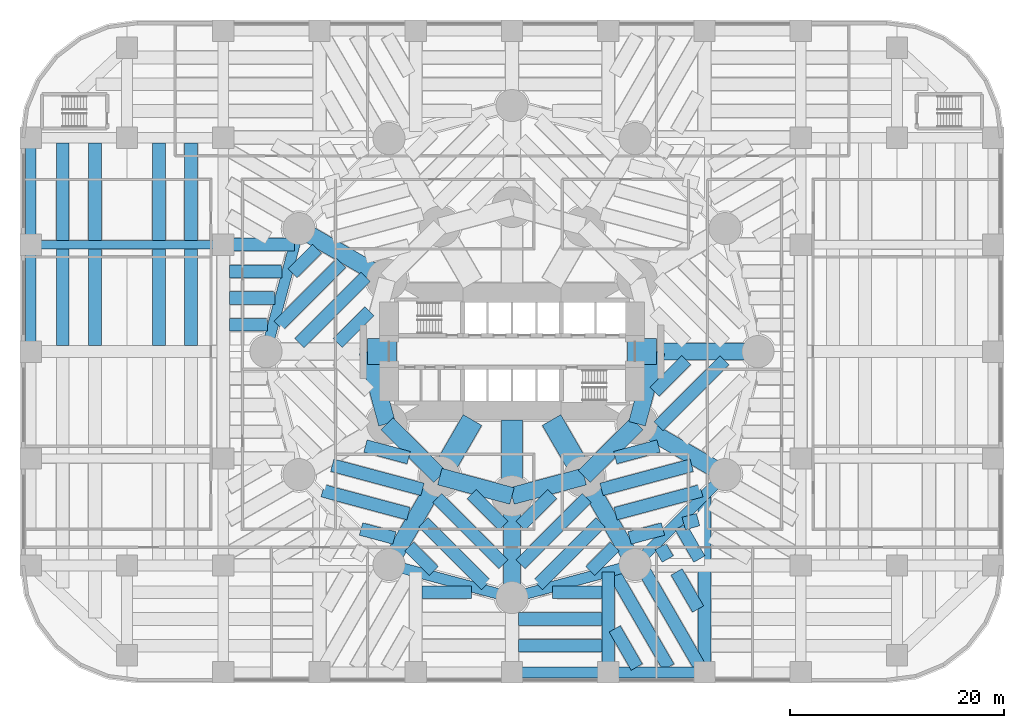
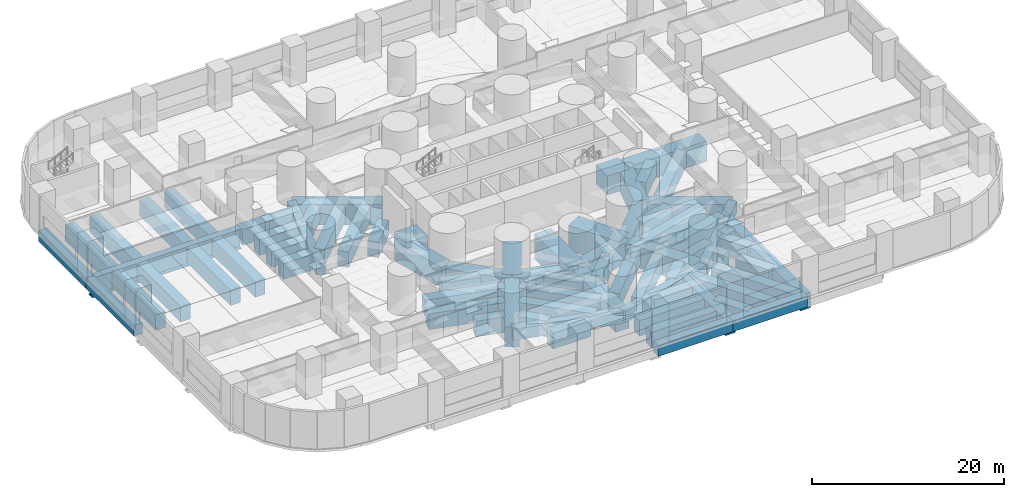
# One storey, part 2 of 17: 73 beams.
"""IFC4 building model written with IfcOpenShell, lengths in metres."""

from ifc_helpers import new_model, si_unit, direction, frame, origin, origin_2d, place, context, subcontext, project, spatial, rectangle, i_section, extrude, material, material_profile, profile_set, type_object, element, save


model = new_model("IFC4")

# Units and contexts
model_context = context("Model", 3, precision=1e-05, world=origin(), true_north=direction((0.0, 1.0)))
body_context = subcontext(model_context, "Body", "Model", "MODEL_VIEW")
ifc_project = project(units=[si_unit("LENGTHUNIT", "METRE"), si_unit("AREAUNIT", "SQUARE_METRE"), si_unit("VOLUMEUNIT", "CUBIC_METRE"), si_unit("PLANEANGLEUNIT", "RADIAN"), si_unit("MASSUNIT", "GRAM", prefix="KILO")], contexts=[model_context])

# Site, building, storey
site_placement = place(None, origin())
site = spatial("IfcSite", under=ifc_project, at=site_placement, CompositionType="ELEMENT")
building_placement = place(site_placement, origin())
building = spatial("IfcBuilding", under=site, at=building_placement, Name="Qaws Media Tower", CompositionType="ELEMENT")
storey_placement = place(building_placement, frame((0.0, 0.0, 15.0)))
storey = spatial("IfcBuildingStorey", under=building, at=storey_placement, Name="L02", CompositionType="ELEMENT", Elevation=15.0)

# Beams
ifc_material_1 = material(Name="Concrete C60/75", Category="concrete")
ifc_material_profile_1 = material_profile(ifc_material_1, rectangle(XDim=2.0, YDim=3.199951171875, at=origin_2d()), Name="RC 2000x3200")
ifc_profile_set_1 = profile_set([ifc_material_profile_1], Name="Concrete C60/75")
beam_type_1 = type_object("IfcBeamType", Name="Podium core beam RC 2000x3200", PredefinedType="BEAM", material=ifc_profile_set_1)
beam_1_placement = place(storey_placement, frame((56.304931640625, 43.60009765625, -1.89990234375), z_axis=(-0.49998532359, -0.866033877048, 0.0), x_axis=(0.866033877048, -0.49998532359, 0.0)))
element("IfcBeam", 1, at=beam_1_placement, inside=storey, type_object=beam_type_1, Name="PB14 beam CORE-I09", PredefinedType="BEAM", context=body_context, shape_type="SweptSolid", body=[
    extrude(rectangle(XDim=2.0, YDim=3.199951171875, at=origin_2d()), origin(), (0.0, 0.0, 1.0), 6.110107421875),
])
beam_2_placement = place(storey_placement, frame((60.0, 43.60009765625, -1.89990234375), z_axis=(0.0, -1.0, 0.0), x_axis=(1.0, 0.0, 0.0)))
element("IfcBeam", 2, at=beam_2_placement, inside=storey, type_object=beam_type_1, Name="PB14 beam CORE-I10", PredefinedType="BEAM", context=body_context, shape_type="SweptSolid", body=[
    extrude(rectangle(XDim=2.0, YDim=3.199951171875, at=origin_2d()), origin(), (0.0, 0.0, 1.0), 7.10009765625),
])
beam_3_placement = place(storey_placement, frame((63.695068359375, 43.60009765625, -1.89990234375), z_axis=(0.49998532359, -0.866033877048, 0.0), x_axis=(0.866033877048, 0.49998532359, 0.0)))
element("IfcBeam", 3, at=beam_3_placement, inside=storey, type_object=beam_type_1, Name="PB14 beam CORE-I11", PredefinedType="BEAM", context=body_context, shape_type="SweptSolid", body=[
    extrude(rectangle(XDim=2.0, YDim=3.199951171875, at=origin_2d()), origin(), (0.0, 0.0, 1.0), 6.110107421875),
])
ifc_material_2 = material(Name="Concrete C60/75", Category="concrete")
ifc_material_profile_2 = material_profile(ifc_material_2, rectangle(XDim=2.39990234375, YDim=2.39990234375, at=origin_2d()), Name="RC 2400x2400")
ifc_profile_set_2 = profile_set([ifc_material_profile_2], Name="Concrete C60/75")
beam_type_2 = type_object("IfcBeamType", Name="Podium core stub beam RC 2400x2400", PredefinedType="BEAM", material=ifc_profile_set_2)
for number, where, z_axis, x_axis, name in (
    (4, (70.800048828125, 50.0, -1.5), (1.0, 0.0, 0.0), (0.0, 1.0, 0.0), "PB15 beam CORE-I01"),
    (5, (49.199951171875, 50.0, -1.5), (-1.0, 0.0, 0.0), (0.0, -1.0, 0.0), "PB15 beam CORE-I07"),
):
    element("IfcBeam", number, at=place(storey_placement, frame(where, z_axis=z_axis, x_axis=x_axis)), inside=storey, type_object=beam_type_2, Name=name, PredefinedType="BEAM", context=body_context, shape_type="SweptSolid", body=[
        extrude(rectangle(XDim=2.39990234375, YDim=2.39990234375, at=origin_2d()), origin(), (0.0, 0.0, 1.0), 2.699951171875),
    ])
ifc_material_3 = material(Name="Concrete C60/75", Category="concrete")
ifc_material_profile_3 = material_profile(ifc_material_3, rectangle(XDim=1.0, YDim=1.39990234375, at=origin_2d()), Name="RC 1000x1400")
ifc_profile_set_3 = profile_set([ifc_material_profile_3], Name="Concrete C60/75")
beam_type_3 = type_object("IfcBeamType", Name="Podium edge beam RC 1000x1400", PredefinedType="BEAM", material=ifc_profile_set_3)
for number, where, z_axis, x_axis, name in (
    (6, (40.081298828125, 61.5, -1.0), (-0.258809885148, -0.965928280645, 0.0), (0.965928280645, -0.258809885148, 0.0), "PB3 beam M06-M07"),
    (7, (48.5, 30.081298828125, -1.0), (0.965928280645, -0.258809885148, 0.0), (0.258809885148, 0.965928280645, 0.0), "PB3 beam M09-M10"),
    (8, (60.0, 27.0, -1.0), (0.965928280645, 0.258809885148, 0.0), (-0.258809885148, 0.965928280645, 0.0), "PB3 beam M10-M11"),
    (9, (71.5, 30.081298828125, -1.0), (0.707106781187, 0.707106781187, 0.0), (-0.707106781187, 0.707106781187, 0.0), "PB3 beam M11-M12"),
):
    element("IfcBeam", number, at=place(storey_placement, frame(where, z_axis=z_axis, x_axis=x_axis)), inside=storey, type_object=beam_type_3, Name=name, PredefinedType="BEAM", context=body_context, shape_type="SweptSolid", body=[
        extrude(rectangle(XDim=1.0, YDim=1.39990234375, at=origin_2d()), origin(), (0.0, 0.0, 1.0), 11.90576171875),
    ])
ifc_material_4 = material(Name="Concrete C60/75", Category="concrete")
ifc_material_profile_4 = material_profile(ifc_material_4, rectangle(XDim=1.0, YDim=1.39990234375, at=origin_2d()), Name="RC 1000x1400")
ifc_profile_set_4 = profile_set([ifc_material_profile_4], Name="Concrete C60/75")
beam_type_4 = type_object("IfcBeamType", Name="Podium girder RC 1000x1400", PredefinedType="BEAM", material=ifc_profile_set_4)
for number, where, z_axis, x_axis, name in (
    (10, (60.0, 20.0, -1.0), (1.0, 0.0, 0.0), (0.0, 1.0, 0.0), "PB5 beam 6-7/A"),
    (11, (69.0, 20.0, -1.0), (1.0, 0.0, 0.0), (0.0, 1.0, 0.0), "PB5 beam 7-8/A"),
):
    element("IfcBeam", number, at=place(storey_placement, frame(where, z_axis=z_axis, x_axis=x_axis)), inside=storey, type_object=beam_type_4, Name=name, PredefinedType="BEAM", context=body_context, shape_type="SweptSolid", body=[
        extrude(rectangle(XDim=1.0, YDim=1.39990234375, at=origin_2d()), origin(), (0.0, 0.0, 1.0), 9.0),
    ])
for number, where, z_axis, x_axis, name in (
    (12, (15.0, 50.0, -1.0), (0.0, 1.0, 0.0), (-1.0, 0.0, 0.0), "PB5 beam 1/D-E"),
    (13, (15.0, 60.0, -1.0), (0.0, 1.0, 0.0), (-1.0, 0.0, 0.0), "PB5 beam 1/E-F"),
):
    element("IfcBeam", number, at=place(storey_placement, frame(where, z_axis=z_axis, x_axis=x_axis)), inside=storey, type_object=beam_type_4, Name=name, PredefinedType="BEAM", context=body_context, shape_type="SweptSolid", body=[
        extrude(rectangle(XDim=1.0, YDim=1.39990234375, at=origin_2d()), origin(), (0.0, 0.0, 1.0), 10.0),
    ])
ifc_material_5 = material(Name="Concrete C60/75", Category="concrete")
ifc_material_profile_5 = material_profile(ifc_material_5, rectangle(XDim=1.199951171875, YDim=2.0, at=origin_2d()), Name="RC 1200x2000")
ifc_profile_set_5 = profile_set([ifc_material_profile_5], Name="Concrete C60/75")
beam_type_5 = type_object("IfcBeamType", Name="Podium long trimmer beam RC 1200x2000", PredefinedType="BEAM", material=ifc_profile_set_5)
beam_4_placement = place(storey_placement, frame((78.0, 20.0, -1.300048828125), z_axis=(0.0, 1.0, 0.0), x_axis=(-1.0, 0.0, 0.0)))
element("IfcBeam", 14, at=beam_4_placement, inside=storey, type_object=beam_type_5, Name="PB11 beam 8/A to the tower ring", PredefinedType="BEAM", context=body_context, shape_type="SweptSolid", body=[
    extrude(rectangle(XDim=1.199951171875, YDim=2.0, at=origin_2d()), origin(), (0.0, 0.0, 1.0), 16.581298828125),
])
ifc_material_6 = material(Name="Concrete C60/75", Category="concrete")
ifc_material_profile_6 = material_profile(ifc_material_6, rectangle(XDim=1.199951171875, YDim=2.0, at=origin_2d()), Name="RC 1200x2000")
ifc_profile_set_6 = profile_set([ifc_material_profile_6], Name="Concrete C60/75")
beam_type_6 = type_object("IfcBeamType", Name="Podium secondary beam RC 1200x2000", PredefinedType="BEAM", material=ifc_profile_set_6)
for number, where, z_axis, x_axis, name in (
    (15, (21.0, 50.550048828125, -1.300048828125), (0.0, 1.0, 0.0), (-1.0, 0.0, 0.0), "PB7 beam bay 1D line 1"),
    (16, (18.0, 50.550048828125, -1.300048828125), (0.0, 1.0, 0.0), (-1.0, 0.0, 0.0), "PB7 beam bay 1D line 2"),
):
    element("IfcBeam", number, at=place(storey_placement, frame(where, z_axis=z_axis, x_axis=x_axis)), inside=storey, type_object=beam_type_6, Name=name, PredefinedType="BEAM", context=body_context, shape_type="SweptSolid", body=[
        extrude(rectangle(XDim=1.199951171875, YDim=2.0, at=origin_2d()), origin(), (0.0, 0.0, 1.0), 9.050048828125),
    ])
for number, where, z_axis, x_axis, name in (
    (17, (21.0, 60.39990234375, -1.300048828125), (0.0, 1.0, 0.0), (-1.0, 0.0, 0.0), "PB7 beam bay 1E line 1"),
    (18, (18.0, 60.39990234375, -1.300048828125), (0.0, 1.0, 0.0), (-1.0, 0.0, 0.0), "PB7 beam bay 1E line 2"),
):
    element("IfcBeam", number, at=place(storey_placement, frame(where, z_axis=z_axis, x_axis=x_axis)), inside=storey, type_object=beam_type_6, Name=name, PredefinedType="BEAM", context=body_context, shape_type="SweptSolid", body=[
        extrude(rectangle(XDim=1.199951171875, YDim=2.0, at=origin_2d()), origin(), (0.0, 0.0, 1.0), 9.10009765625),
    ])
for number, where, z_axis, x_axis, name in (
    (19, (30.0, 50.550048828125, -1.300048828125), (0.0, 1.0, 0.0), (-1.0, 0.0, 0.0), "PB7 beam bay 2D line 1"),
    (20, (27.0, 50.550048828125, -1.300048828125), (0.0, 1.0, 0.0), (-1.0, 0.0, 0.0), "PB7 beam bay 2D line 2"),
):
    element("IfcBeam", number, at=place(storey_placement, frame(where, z_axis=z_axis, x_axis=x_axis)), inside=storey, type_object=beam_type_6, Name=name, PredefinedType="BEAM", context=body_context, shape_type="SweptSolid", body=[
        extrude(rectangle(XDim=1.199951171875, YDim=2.0, at=origin_2d()), origin(), (0.0, 0.0, 1.0), 9.050048828125),
    ])
for number, where, z_axis, x_axis, name in (
    (21, (30.0, 60.39990234375, -1.300048828125), (0.0, 1.0, 0.0), (-1.0, 0.0, 0.0), "PB7 beam bay 2E line 1"),
    (22, (27.0, 60.39990234375, -1.300048828125), (0.0, 1.0, 0.0), (-1.0, 0.0, 0.0), "PB7 beam bay 2E line 2"),
):
    element("IfcBeam", number, at=place(storey_placement, frame(where, z_axis=z_axis, x_axis=x_axis)), inside=storey, type_object=beam_type_6, Name=name, PredefinedType="BEAM", context=body_context, shape_type="SweptSolid", body=[
        extrude(rectangle(XDim=1.199951171875, YDim=2.0, at=origin_2d()), origin(), (0.0, 0.0, 1.0), 9.10009765625),
    ])
beam_5_placement = place(storey_placement, frame((33.60009765625, 52.5, -1.300048828125), z_axis=(1.0, 0.0, 0.0), x_axis=(0.0, 1.0, 0.0)))
element("IfcBeam", 23, at=beam_5_placement, inside=storey, type_object=beam_type_6, Name="PB7 beam bay 3D line 1", PredefinedType="BEAM", context=body_context, shape_type="SweptSolid", body=[
    extrude(rectangle(XDim=1.199951171875, YDim=2.0, at=origin_2d()), origin(), (0.0, 0.0, 1.0), 3.55224609375),
])
beam_6_placement = place(storey_placement, frame((33.60009765625, 55.0, -1.300048828125), z_axis=(1.0, 0.0, 0.0), x_axis=(0.0, 1.0, 0.0)))
element("IfcBeam", 24, at=beam_6_placement, inside=storey, type_object=beam_type_6, Name="PB7 beam bay 3D line 2", PredefinedType="BEAM", context=body_context, shape_type="SweptSolid", body=[
    extrude(rectangle(XDim=1.199951171875, YDim=2.0, at=origin_2d()), origin(), (0.0, 0.0, 1.0), 4.221923828125),
])
beam_7_placement = place(storey_placement, frame((33.60009765625, 57.5, -1.300048828125), z_axis=(1.0, 0.0, 0.0), x_axis=(0.0, 1.0, 0.0)))
element("IfcBeam", 25, at=beam_7_placement, inside=storey, type_object=beam_type_6, Name="PB7 beam bay 3D line 3", PredefinedType="BEAM", context=body_context, shape_type="SweptSolid", body=[
    extrude(rectangle(XDim=1.199951171875, YDim=2.0, at=origin_2d()), origin(), (0.0, 0.0, 1.0), 4.891845703125),
])
beam_8_placement = place(storey_placement, frame((51.60009765625, 27.5, -1.300048828125), z_axis=(1.0, 0.0, 0.0), x_axis=(0.0, 1.0, 0.0)))
element("IfcBeam", 26, at=beam_8_placement, inside=storey, type_object=beam_type_6, Name="PB7 beam bay 5A line 3", PredefinedType="BEAM", context=body_context, shape_type="SweptSolid", body=[
    extrude(rectangle(XDim=1.199951171875, YDim=2.0, at=origin_2d()), origin(), (0.0, 0.0, 1.0), 4.60205078125),
])
for number, where, z_axis, x_axis, name in (
    (27, (60.60009765625, 22.5, -1.300048828125), (1.0, 0.0, 0.0), (0.0, 1.0, 0.0), "PB7 beam bay 6A line 1"),
    (28, (60.60009765625, 25.0, -1.300048828125), (1.0, 0.0, 0.0), (0.0, 1.0, 0.0), "PB7 beam bay 6A line 2"),
):
    element("IfcBeam", number, at=place(storey_placement, frame(where, z_axis=z_axis, x_axis=x_axis)), inside=storey, type_object=beam_type_6, Name=name, PredefinedType="BEAM", context=body_context, shape_type="SweptSolid", body=[
        extrude(rectangle(XDim=1.199951171875, YDim=2.0, at=origin_2d()), origin(), (0.0, 0.0, 1.0), 7.7998046875),
    ])
beam_9_placement = place(storey_placement, frame((63.7978515625, 27.5, -1.300048828125), z_axis=(1.0, 0.0, 0.0), x_axis=(0.0, 1.0, 0.0)))
element("IfcBeam", 29, at=beam_9_placement, inside=storey, type_object=beam_type_6, Name="PB7 beam bay 6A line 3", PredefinedType="BEAM", context=body_context, shape_type="SweptSolid", body=[
    extrude(rectangle(XDim=1.199951171875, YDim=2.0, at=origin_2d()), origin(), (0.0, 0.0, 1.0), 4.60205078125),
])
beam_10_placement = place(storey_placement, frame((77.39990234375, 25.921630859375, -1.300048828125), z_axis=(-0.500022371132, 0.86601248742, 0.0), x_axis=(-0.86601248742, -0.500022371132, 0.0)))
element("IfcBeam", 30, at=beam_10_placement, inside=storey, type_object=beam_type_6, Name="PB7 beam bay 7A line 1", PredefinedType="BEAM", context=body_context, shape_type="SweptSolid", body=[
    extrude(rectangle(XDim=1.199951171875, YDim=2.0, at=origin_2d()), origin(), (0.0, 0.0, 1.0), 4.016357421875),
])
beam_11_placement = place(storey_placement, frame((77.575439453125, 20.5, -1.300048828125), z_axis=(-0.500004869266, 0.866022592494, 0.0), x_axis=(-0.866022592494, -0.500004869266, 0.0)))
element("IfcBeam", 31, at=beam_11_placement, inside=storey, type_object=beam_type_6, Name="PB7 beam bay 7A line 2", PredefinedType="BEAM", context=body_context, shape_type="SweptSolid", body=[
    extrude(rectangle(XDim=1.199951171875, YDim=2.0, at=origin_2d()), origin(), (0.0, 0.0, 1.0), 10.27685546875),
])
beam_12_placement = place(storey_placement, frame((74.62060546875, 20.5, -1.300048828125), z_axis=(-0.499992846816, 0.866029533637, 0.0), x_axis=(-0.866029533637, -0.499992846816, 0.0)))
element("IfcBeam", 32, at=beam_12_placement, inside=storey, type_object=beam_type_6, Name="PB7 beam bay 7A line 3", PredefinedType="BEAM", context=body_context, shape_type="SweptSolid", body=[
    extrude(rectangle(XDim=1.199951171875, YDim=2.0, at=origin_2d()), origin(), (0.0, 0.0, 1.0), 9.900146484375),
])
beam_13_placement = place(storey_placement, frame((71.666015625, 20.5, -1.300048828125), z_axis=(-0.499990122378, 0.866031106557, 0.0), x_axis=(-0.866031106557, -0.499990122378, 0.0)))
element("IfcBeam", 33, at=beam_13_placement, inside=storey, type_object=beam_type_6, Name="PB7 beam bay 7A line 4", PredefinedType="BEAM", context=body_context, shape_type="SweptSolid", body=[
    extrude(rectangle(XDim=1.199951171875, YDim=2.0, at=origin_2d()), origin(), (0.0, 0.0, 1.0), 4.1318359375),
])
beam_14_placement = place(storey_placement, frame((77.517578125, 30.60009765625, -1.300048828125), z_axis=(-0.500001597329, 0.866024481564, 0.0), x_axis=(-0.866024481564, -0.500001597329, 0.0)))
element("IfcBeam", 34, at=beam_14_placement, inside=storey, type_object=beam_type_6, Name="PB7 beam bay 7B line 1", PredefinedType="BEAM", context=body_context, shape_type="SweptSolid", body=[
    extrude(rectangle(XDim=1.199951171875, YDim=2.0, at=origin_2d()), origin(), (0.0, 0.0, 1.0), 3.5078125),
])
beam_15_placement = place(storey_placement, frame((74.56298828125, 30.60009765625, -1.300048828125), z_axis=(-0.500062873969, 0.865989100438, 0.0), x_axis=(-0.865989100438, -0.500062873969, 0.0)))
element("IfcBeam", 35, at=beam_15_placement, inside=storey, type_object=beam_type_6, Name="PB7 beam bay 7B line 2", PredefinedType="BEAM", context=body_context, shape_type="SweptSolid", body=[
    extrude(rectangle(XDim=1.199951171875, YDim=2.0, at=origin_2d()), origin(), (0.0, 0.0, 1.0), 1.344970703125),
])
beam_16_placement = place(storey_placement, frame((43.71630859375, 50.800048828125, -1.300048828125), z_axis=(0.707106781187, 0.707106781187, 0.0), x_axis=(-0.707106781187, 0.707106781187, 0.0)))
element("IfcBeam", 36, at=beam_16_placement, inside=storey, type_object=beam_type_6, Name="PB7 beam bay T06 line 1", PredefinedType="BEAM", context=body_context, shape_type="SweptSolid", body=[
    extrude(rectangle(XDim=1.199951171875, YDim=2.0, at=origin_2d()), origin(), (0.0, 0.0, 1.0), 4.19189453125),
])
beam_17_placement = place(storey_placement, frame((40.132568359375, 50.800048828125, -1.300048828125), z_axis=(0.707106781187, 0.707106781187, 0.0), x_axis=(-0.707106781187, 0.707106781187, 0.0)))
element("IfcBeam", 37, at=beam_17_placement, inside=storey, type_object=beam_type_6, Name="PB7 beam bay T06 line 2", PredefinedType="BEAM", context=body_context, shape_type="SweptSolid", body=[
    extrude(rectangle(XDim=1.199951171875, YDim=2.0, at=origin_2d()), origin(), (0.0, 0.0, 1.0), 8.73876953125),
])
beam_18_placement = place(storey_placement, frame((38.1650390625, 52.416259765625, -1.300048828125), z_axis=(0.707106781187, 0.707106781187, 0.0), x_axis=(-0.707106781187, 0.707106781187, 0.0)))
element("IfcBeam", 38, at=beam_18_placement, inside=storey, type_object=beam_type_6, Name="PB7 beam bay T06 line 3", PredefinedType="BEAM", context=body_context, shape_type="SweptSolid", body=[
    extrude(rectangle(XDim=1.199951171875, YDim=2.0, at=origin_2d()), origin(), (0.0, 0.0, 1.0), 8.30810546875),
])
beam_19_placement = place(storey_placement, frame((39.476806640625, 57.311767578125, -1.300048828125), z_axis=(0.707144458383, 0.707069101983, 0.0), x_axis=(-0.707069101983, 0.707144458383, 0.0)))
element("IfcBeam", 39, at=beam_19_placement, inside=storey, type_object=beam_type_6, Name="PB7 beam bay T06 line 4", PredefinedType="BEAM", context=body_context, shape_type="SweptSolid", body=[
    extrude(rectangle(XDim=1.199951171875, YDim=2.0, at=origin_2d()), origin(), (0.0, 0.0, 1.0), 3.23974609375),
])
beam_20_placement = place(storey_placement, frame((50.346923828125, 40.080322265625, -1.300048828125), z_axis=(-0.96592491418, 0.258822449118, 0.0), x_axis=(-0.258822449118, -0.96592491418, 0.0)))
element("IfcBeam", 40, at=beam_20_placement, inside=storey, type_object=beam_type_6, Name="PB7 beam bay T08 line 1", PredefinedType="BEAM", context=body_context, shape_type="SweptSolid", body=[
    extrude(rectangle(XDim=1.199951171875, YDim=2.0, at=origin_2d()), origin(), (0.0, 0.0, 1.0), 4.19189453125),
])
beam_21_placement = place(storey_placement, frame((51.63525390625, 37.11181640625, -1.300048828125), z_axis=(-0.965926352771, 0.258817080236, 0.0), x_axis=(-0.258817080236, -0.965926352771, 0.0)))
element("IfcBeam", 41, at=beam_21_placement, inside=storey, type_object=beam_type_6, Name="PB7 beam bay T08 line 2", PredefinedType="BEAM", context=body_context, shape_type="SweptSolid", body=[
    extrude(rectangle(XDim=1.199951171875, YDim=2.0, at=origin_2d()), origin(), (0.0, 0.0, 1.0), 8.73876953125),
])
beam_22_placement = place(storey_placement, frame((50.323486328125, 34.83984375, -1.300048828125), z_axis=(-0.965929425695, 0.258805611564, 0.0), x_axis=(-0.258805611564, -0.965929425695, 0.0)))
element("IfcBeam", 42, at=beam_22_placement, inside=storey, type_object=beam_type_6, Name="PB7 beam bay T08 line 3", PredefinedType="BEAM", context=body_context, shape_type="SweptSolid", body=[
    extrude(rectangle(XDim=1.199951171875, YDim=2.0, at=origin_2d()), origin(), (0.0, 0.0, 1.0), 8.307861328125),
])
beam_23_placement = place(storey_placement, frame((49.01171875, 32.56787109375, -1.300048828125), z_axis=(-0.965936615722, 0.258778775034, 0.0), x_axis=(-0.258778775034, -0.965936615722, 0.0)))
element("IfcBeam", 43, at=beam_23_placement, inside=storey, type_object=beam_type_6, Name="PB7 beam bay T08 line 4", PredefinedType="BEAM", context=body_context, shape_type="SweptSolid", body=[
    extrude(rectangle(XDim=1.199951171875, YDim=2.0, at=origin_2d()), origin(), (0.0, 0.0, 1.0), 3.23974609375),
])
beam_24_placement = place(storey_placement, frame((59.199951171875, 33.71630859375, -1.300048828125), z_axis=(-0.707106781187, 0.707106781187, 0.0), x_axis=(-0.707106781187, -0.707106781187, 0.0)))
element("IfcBeam", 44, at=beam_24_placement, inside=storey, type_object=beam_type_6, Name="PB7 beam bay T09 line 1", PredefinedType="BEAM", context=body_context, shape_type="SweptSolid", body=[
    extrude(rectangle(XDim=1.199951171875, YDim=2.0, at=origin_2d()), origin(), (0.0, 0.0, 1.0), 4.19189453125),
])
beam_25_placement = place(storey_placement, frame((59.199951171875, 30.132568359375, -1.300048828125), z_axis=(-0.707106781187, 0.707106781187, 0.0), x_axis=(-0.707106781187, -0.707106781187, 0.0)))
element("IfcBeam", 45, at=beam_25_placement, inside=storey, type_object=beam_type_6, Name="PB7 beam bay T09 line 2", PredefinedType="BEAM", context=body_context, shape_type="SweptSolid", body=[
    extrude(rectangle(XDim=1.199951171875, YDim=2.0, at=origin_2d()), origin(), (0.0, 0.0, 1.0), 8.73876953125),
])
beam_26_placement = place(storey_placement, frame((57.583740234375, 28.1650390625, -1.300048828125), z_axis=(-0.707106781187, 0.707106781187, 0.0), x_axis=(-0.707106781187, -0.707106781187, 0.0)))
element("IfcBeam", 46, at=beam_26_placement, inside=storey, type_object=beam_type_6, Name="PB7 beam bay T09 line 3", PredefinedType="BEAM", context=body_context, shape_type="SweptSolid", body=[
    extrude(rectangle(XDim=1.199951171875, YDim=2.0, at=origin_2d()), origin(), (0.0, 0.0, 1.0), 8.30810546875),
])
for number, where, z_axis, x_axis, name in (
    (47, (52.688232421875, 29.476806640625, -1.300048828125), (-0.707069101983, 0.707144458383, 0.0), (-0.707144458383, -0.707069101983, 0.0), "PB7 beam bay T09 line 4"),
    (48, (67.311767578125, 29.476806640625, -1.300048828125), (0.707069101983, 0.707144458383, 0.0), (-0.707144458383, 0.707069101983, 0.0), "PB7 beam bay T10 line 1"),
):
    element("IfcBeam", number, at=place(storey_placement, frame(where, z_axis=z_axis, x_axis=x_axis)), inside=storey, type_object=beam_type_6, Name=name, PredefinedType="BEAM", context=body_context, shape_type="SweptSolid", body=[
        extrude(rectangle(XDim=1.199951171875, YDim=2.0, at=origin_2d()), origin(), (0.0, 0.0, 1.0), 3.23974609375),
    ])
beam_27_placement = place(storey_placement, frame((62.416259765625, 28.1650390625, -1.300048828125), z_axis=(0.707106781187, 0.707106781187, 0.0), x_axis=(-0.707106781187, 0.707106781187, 0.0)))
element("IfcBeam", 49, at=beam_27_placement, inside=storey, type_object=beam_type_6, Name="PB7 beam bay T10 line 2", PredefinedType="BEAM", context=body_context, shape_type="SweptSolid", body=[
    extrude(rectangle(XDim=1.199951171875, YDim=2.0, at=origin_2d()), origin(), (0.0, 0.0, 1.0), 8.30810546875),
])
beam_28_placement = place(storey_placement, frame((60.800048828125, 30.132568359375, -1.300048828125), z_axis=(0.707106781187, 0.707106781187, 0.0), x_axis=(-0.707106781187, 0.707106781187, 0.0)))
element("IfcBeam", 50, at=beam_28_placement, inside=storey, type_object=beam_type_6, Name="PB7 beam bay T10 line 3", PredefinedType="BEAM", context=body_context, shape_type="SweptSolid", body=[
    extrude(rectangle(XDim=1.199951171875, YDim=2.0, at=origin_2d()), origin(), (0.0, 0.0, 1.0), 8.73876953125),
])
beam_29_placement = place(storey_placement, frame((60.800048828125, 33.71630859375, -1.300048828125), z_axis=(0.707106781187, 0.707106781187, 0.0), x_axis=(-0.707106781187, 0.707106781187, 0.0)))
element("IfcBeam", 51, at=beam_29_placement, inside=storey, type_object=beam_type_6, Name="PB7 beam bay T10 line 4", PredefinedType="BEAM", context=body_context, shape_type="SweptSolid", body=[
    extrude(rectangle(XDim=1.199951171875, YDim=2.0, at=origin_2d()), origin(), (0.0, 0.0, 1.0), 4.19189453125),
])
beam_30_placement = place(storey_placement, frame((70.98828125, 32.56787109375, -1.300048828125), z_axis=(0.965936615722, 0.258778775034, 0.0), x_axis=(-0.258778775034, 0.965936615722, 0.0)))
element("IfcBeam", 52, at=beam_30_placement, inside=storey, type_object=beam_type_6, Name="PB7 beam bay T11 line 1", PredefinedType="BEAM", context=body_context, shape_type="SweptSolid", body=[
    extrude(rectangle(XDim=1.199951171875, YDim=2.0, at=origin_2d()), origin(), (0.0, 0.0, 1.0), 3.23974609375),
])
beam_31_placement = place(storey_placement, frame((76.049560546875, 33.924072265625, -1.300048828125), z_axis=(0.965927004363, 0.25881464843, 0.0), x_axis=(-0.25881464843, 0.965927004363, 0.0)))
element("IfcBeam", 53, at=beam_31_placement, inside=storey, type_object=beam_type_6, Name="PB7 beam bay T11 line 2", PredefinedType="BEAM", context=body_context, shape_type="SweptSolid", body=[
    extrude(rectangle(XDim=1.199951171875, YDim=2.0, at=origin_2d()), origin(), (0.0, 0.0, 1.0), 1.39794921875),
])
beam_32_placement = place(storey_placement, frame((69.676513671875, 34.83984375, -1.300048828125), z_axis=(0.965929425695, 0.258805611564, 0.0), x_axis=(-0.258805611564, 0.965929425695, 0.0)))
element("IfcBeam", 54, at=beam_32_placement, inside=storey, type_object=beam_type_6, Name="PB7 beam bay T11 line 3", PredefinedType="BEAM", context=body_context, shape_type="SweptSolid", body=[
    extrude(rectangle(XDim=1.199951171875, YDim=2.0, at=origin_2d()), origin(), (0.0, 0.0, 1.0), 8.307861328125),
])
beam_33_placement = place(storey_placement, frame((68.36474609375, 37.11181640625, -1.300048828125), z_axis=(0.965926352771, 0.258817080236, 0.0), x_axis=(-0.258817080236, 0.965926352771, 0.0)))
element("IfcBeam", 55, at=beam_33_placement, inside=storey, type_object=beam_type_6, Name="PB7 beam bay T11 line 4", PredefinedType="BEAM", context=body_context, shape_type="SweptSolid", body=[
    extrude(rectangle(XDim=1.199951171875, YDim=2.0, at=origin_2d()), origin(), (0.0, 0.0, 1.0), 8.73876953125),
])
beam_34_placement = place(storey_placement, frame((69.653076171875, 40.080322265625, -1.300048828125), z_axis=(0.96592491418, 0.258822449118, 0.0), x_axis=(-0.258822449118, 0.96592491418, 0.0)))
element("IfcBeam", 56, at=beam_34_placement, inside=storey, type_object=beam_type_6, Name="PB7 beam bay T11 line 5", PredefinedType="BEAM", context=body_context, shape_type="SweptSolid", body=[
    extrude(rectangle(XDim=1.199951171875, YDim=2.0, at=origin_2d()), origin(), (0.0, 0.0, 1.0), 4.19189453125),
])
beam_35_placement = place(storey_placement, frame((73.688232421875, 43.020751953125, -1.300048828125), z_axis=(0.707106781187, 0.707106781187, 0.0), x_axis=(-0.707106781187, 0.707106781187, 0.0)))
element("IfcBeam", 57, at=beam_35_placement, inside=storey, type_object=beam_type_6, Name="PB7 beam bay T12 line 3", PredefinedType="BEAM", context=body_context, shape_type="SweptSolid", body=[
    extrude(rectangle(XDim=1.199951171875, YDim=2.0, at=origin_2d()), origin(), (0.0, 0.0, 1.0), 8.73876953125),
])
beam_36_placement = place(storey_placement, frame((73.319580078125, 46.23583984375, -1.300048828125), z_axis=(0.707106781187, 0.707106781187, 0.0), x_axis=(-0.707106781187, 0.707106781187, 0.0)))
element("IfcBeam", 58, at=beam_36_placement, inside=storey, type_object=beam_type_6, Name="PB7 beam bay T12 line 4", PredefinedType="BEAM", context=body_context, shape_type="SweptSolid", body=[
    extrude(rectangle(XDim=1.199951171875, YDim=2.0, at=origin_2d()), origin(), (0.0, 0.0, 1.0), 4.19189453125),
])
ifc_material_7 = material(Name="Concrete C60/75", Category="concrete")
ifc_material_profile_7 = material_profile(ifc_material_7, rectangle(XDim=1.60009765625, YDim=2.60009765625, at=origin_2d()), Name="RC 1600x2600")
ifc_profile_set_7 = profile_set([ifc_material_profile_7], Name="Concrete C60/75")
beam_type_7 = type_object("IfcBeamType", Name="Podium tower beam RC 1600x2600", PredefinedType="BEAM", material=ifc_profile_set_7)
for number, where, z_axis, x_axis, name in (
    (59, (73.5, 50.0, -1.60009765625), (1.0, 0.0, 0.0), (0.0, 1.0, 0.0), "PB9 beam I01-M01"),
    (60, (48.30859375, 56.75, -1.60009765625), (-0.86602681393, 0.499997557548, 0.0), (-0.499997557548, -0.86602681393, 0.0), "PB9 beam I06-M06"),
):
    element("IfcBeam", number, at=place(storey_placement, frame(where, z_axis=z_axis, x_axis=x_axis)), inside=storey, type_object=beam_type_7, Name=name, PredefinedType="BEAM", context=body_context, shape_type="SweptSolid", body=[
        extrude(rectangle(XDim=1.60009765625, YDim=2.60009765625, at=origin_2d()), origin(), (0.0, 0.0, 1.0), 9.5),
    ])
beam_37_placement = place(storey_placement, frame((46.5, 50.0, -1.60009765625), z_axis=(0.258810593767, -0.965928090778, 0.0), x_axis=(0.965928090778, 0.258810593767, 0.0)))
element("IfcBeam", 61, at=beam_37_placement, inside=storey, type_object=beam_type_7, Name="PB9 beam I07-I08", PredefinedType="BEAM", context=body_context, shape_type="SweptSolid", body=[
    extrude(rectangle(XDim=1.60009765625, YDim=2.60009765625, at=origin_2d()), origin(), (0.0, 0.0, 1.0), 6.988037109375),
])
beam_38_placement = place(storey_placement, frame((48.30859375, 43.25, -1.60009765625), z_axis=(0.707106781187, -0.707106781187, 0.0), x_axis=(0.707106781187, 0.707106781187, 0.0)))
element("IfcBeam", 62, at=beam_38_placement, inside=storey, type_object=beam_type_7, Name="PB9 beam I08-I09", PredefinedType="BEAM", context=body_context, shape_type="SweptSolid", body=[
    extrude(rectangle(XDim=1.60009765625, YDim=2.60009765625, at=origin_2d()), origin(), (0.0, 0.0, 1.0), 6.98828125),
])
beam_39_placement = place(storey_placement, frame((53.25, 38.30859375, -1.60009765625), z_axis=(-0.499997557548, -0.86602681393, 0.0), x_axis=(0.86602681393, -0.499997557548, 0.0)))
element("IfcBeam", 63, at=beam_39_placement, inside=storey, type_object=beam_type_7, Name="PB9 beam I09-M09", PredefinedType="BEAM", context=body_context, shape_type="SweptSolid", body=[
    extrude(rectangle(XDim=1.60009765625, YDim=2.60009765625, at=origin_2d()), origin(), (0.0, 0.0, 1.0), 9.5),
])
beam_40_placement = place(storey_placement, frame((53.25, 38.30859375, -1.60009765625), z_axis=(0.965928090778, -0.258810593767, 0.0), x_axis=(0.258810593767, 0.965928090778, 0.0)))
element("IfcBeam", 64, at=beam_40_placement, inside=storey, type_object=beam_type_7, Name="PB9 beam I09-I10", PredefinedType="BEAM", context=body_context, shape_type="SweptSolid", body=[
    extrude(rectangle(XDim=1.60009765625, YDim=2.60009765625, at=origin_2d()), origin(), (0.0, 0.0, 1.0), 6.988037109375),
])
beam_41_placement = place(storey_placement, frame((60.0, 36.5, -1.60009765625), z_axis=(0.0, -1.0, 0.0), x_axis=(1.0, 0.0, 0.0)))
element("IfcBeam", 65, at=beam_41_placement, inside=storey, type_object=beam_type_7, Name="PB9 beam I10-M10", PredefinedType="BEAM", context=body_context, shape_type="SweptSolid", body=[
    extrude(rectangle(XDim=1.60009765625, YDim=2.60009765625, at=origin_2d()), origin(), (0.0, 0.0, 1.0), 9.5),
])
beam_42_placement = place(storey_placement, frame((60.0, 36.5, -1.60009765625), z_axis=(0.965928090778, 0.258810593767, 0.0), x_axis=(-0.258810593767, 0.965928090778, 0.0)))
element("IfcBeam", 66, at=beam_42_placement, inside=storey, type_object=beam_type_7, Name="PB9 beam I10-I11", PredefinedType="BEAM", context=body_context, shape_type="SweptSolid", body=[
    extrude(rectangle(XDim=1.60009765625, YDim=2.60009765625, at=origin_2d()), origin(), (0.0, 0.0, 1.0), 6.988037109375),
])
beam_43_placement = place(storey_placement, frame((66.75, 38.30859375, -1.60009765625), z_axis=(0.499997557548, -0.86602681393, 0.0), x_axis=(0.86602681393, 0.499997557548, 0.0)))
element("IfcBeam", 67, at=beam_43_placement, inside=storey, type_object=beam_type_7, Name="PB9 beam I11-M11", PredefinedType="BEAM", context=body_context, shape_type="SweptSolid", body=[
    extrude(rectangle(XDim=1.60009765625, YDim=2.60009765625, at=origin_2d()), origin(), (0.0, 0.0, 1.0), 9.5),
])
beam_44_placement = place(storey_placement, frame((66.75, 38.30859375, -1.60009765625), z_axis=(0.707106781187, 0.707106781187, 0.0), x_axis=(-0.707106781187, 0.707106781187, 0.0)))
element("IfcBeam", 68, at=beam_44_placement, inside=storey, type_object=beam_type_7, Name="PB9 beam I11-I12", PredefinedType="BEAM", context=body_context, shape_type="SweptSolid", body=[
    extrude(rectangle(XDim=1.60009765625, YDim=2.60009765625, at=origin_2d()), origin(), (0.0, 0.0, 1.0), 6.98828125),
])
beam_45_placement = place(storey_placement, frame((71.69140625, 43.25, -1.60009765625), z_axis=(0.86602681393, -0.499997557548, 0.0), x_axis=(0.499997557548, 0.86602681393, 0.0)))
element("IfcBeam", 69, at=beam_45_placement, inside=storey, type_object=beam_type_7, Name="PB9 beam I12-M12", PredefinedType="BEAM", context=body_context, shape_type="SweptSolid", body=[
    extrude(rectangle(XDim=1.60009765625, YDim=2.60009765625, at=origin_2d()), origin(), (0.0, 0.0, 1.0), 9.5),
])
beam_46_placement = place(storey_placement, frame((71.69140625, 43.25, -1.60009765625), z_axis=(0.258810593767, 0.965928090778, 0.0), x_axis=(-0.965928090778, 0.258810593767, 0.0)))
element("IfcBeam", 70, at=beam_46_placement, inside=storey, type_object=beam_type_7, Name="PB9 beam I12-I01", PredefinedType="BEAM", context=body_context, shape_type="SweptSolid", body=[
    extrude(rectangle(XDim=1.60009765625, YDim=2.60009765625, at=origin_2d()), origin(), (0.0, 0.0, 1.0), 6.988037109375),
])
ifc_material_8 = material(Name="Concrete C60/75", Category="concrete")
ifc_material_profile_8 = material_profile(ifc_material_8, rectangle(XDim=1.199951171875, YDim=2.0, at=origin_2d()), Name="RC 1200x2000")
ifc_profile_set_8 = profile_set([ifc_material_profile_8], Name="Concrete C60/75")
beam_type_8 = type_object("IfcBeamType", Name="Podium trimmer beam RC 1200x2000", PredefinedType="BEAM", material=ifc_profile_set_8)
beam_47_placement = place(storey_placement, frame((33.0, 60.0, -1.300048828125), z_axis=(1.0, 0.0, 0.0), x_axis=(0.0, 1.0, 0.0)))
element("IfcBeam", 71, at=beam_47_placement, inside=storey, type_object=beam_type_8, Name="PB4 beam 3/E to the tower ring", PredefinedType="BEAM", context=body_context, shape_type="SweptSolid", body=[
    extrude(rectangle(XDim=1.199951171875, YDim=2.0, at=origin_2d()), origin(), (0.0, 0.0, 1.0), 6.679443359375),
])
beam_48_placement = place(storey_placement, frame((69.0, 20.0, -1.300048828125), z_axis=(0.0, 1.0, 0.0), x_axis=(-1.0, 0.0, 0.0)))
element("IfcBeam", 72, at=beam_48_placement, inside=storey, type_object=beam_type_8, Name="PB4 beam 7/A to the tower ring", PredefinedType="BEAM", context=body_context, shape_type="SweptSolid", body=[
    extrude(rectangle(XDim=1.199951171875, YDim=2.0, at=origin_2d()), origin(), (0.0, 0.0, 1.0), 9.41162109375),
])
ifc_material_9 = material(Name="Steel S355", Category="steel")
ifc_material_profile_9 = material_profile(ifc_material_9, i_section(OverallWidth=0.800048828125, OverallDepth=2.5, WebThickness=0.030029296875, FlangeThickness=0.06494140625, at=origin_2d()), Name="PG 2500x800")
ifc_profile_set_9 = profile_set([ifc_material_profile_9], Name="Steel S355")
beam_type_9 = type_object("IfcBeamType", Name="Studio girder PG 2500x800", PredefinedType="BEAM", material=ifc_profile_set_9)
beam_49_placement = place(storey_placement, frame((15.0, 60.0, -1.550048828125), z_axis=(1.0, 0.0, 0.0), x_axis=(0.0, 1.0, 0.0)))
element("IfcBeam", 73, at=beam_49_placement, inside=storey, type_object=beam_type_9, Name="SG1 studio A girder on grid E", PredefinedType="BEAM", context=body_context, shape_type="SweptSolid", body=[
    extrude(i_section(OverallWidth=0.800048828125, OverallDepth=2.5, WebThickness=0.030029296875, FlangeThickness=0.06494140625, at=origin_2d()), origin(), (0.0, 0.0, 1.0), 18.0),
])

save(model, "model.ifc")
